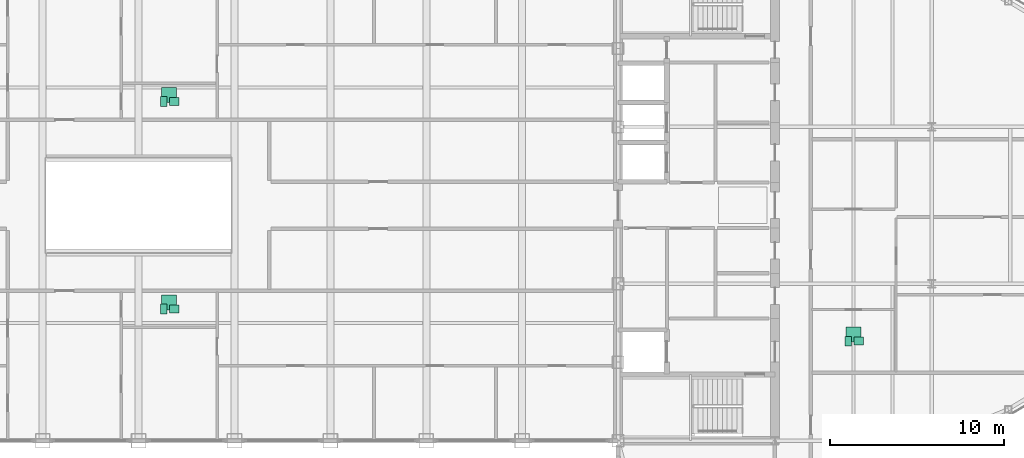
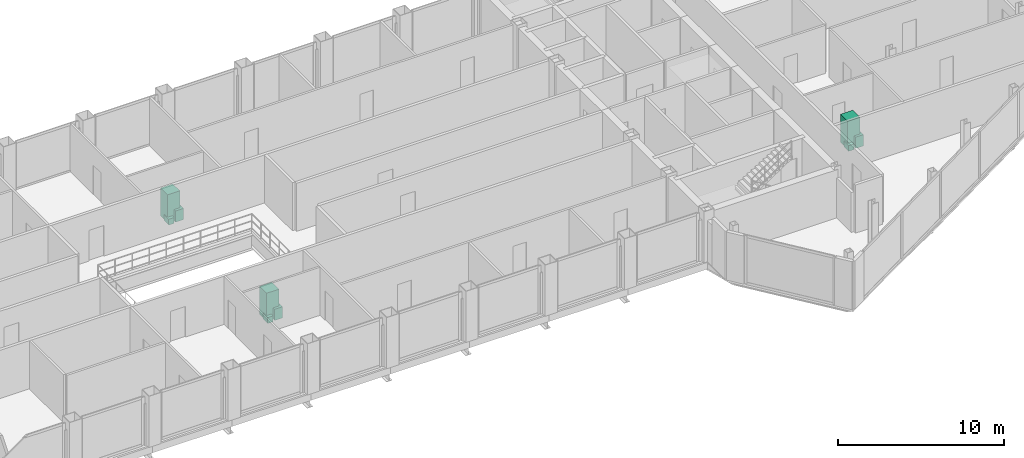
# One storey, part 29 of 29: 9 sanitary terminals.
"""IFC4 building model written with IfcOpenShell, lengths in metres."""

from ifc_helpers import new_model, si_unit, direction, frame, origin, origin_2d, place, context, subcontext, project, spatial, rectangle, extrude, source, transform, mapped, material, type_object, type_shapes, element, save


model = new_model("IFC4")

# Units and contexts
model_context = context("Model", 3, precision=1e-05, world=origin(), true_north=direction((0.0, 1.0)))
body_context = subcontext(model_context, "Body", "Model", "MODEL_VIEW")
ifc_project = project(units=[si_unit("LENGTHUNIT", "METRE"), si_unit("AREAUNIT", "SQUARE_METRE"), si_unit("VOLUMEUNIT", "CUBIC_METRE"), si_unit("PLANEANGLEUNIT", "RADIAN"), si_unit("MASSUNIT", "GRAM", prefix="KILO")], contexts=[model_context])

# Site, building, storey
site_placement = place(None, origin())
site = spatial("IfcSite", under=ifc_project, at=site_placement, CompositionType="ELEMENT")
building_placement = place(site_placement, origin())
building = spatial("IfcBuilding", under=site, at=building_placement, Name="Seokmaru Belvedere", CompositionType="ELEMENT")
storey_placement = place(building_placement, frame((0.0, 0.0, 258.14990234375)))
storey = spatial("IfcBuildingStorey", under=building, at=storey_placement, Name="L68", CompositionType="ELEMENT", Elevation=258.14990234375)

# Sanitary terminals
ifc_material_1 = material(Name="Vitreous China Sanitaryware")
sanitary_terminal_type_1 = type_object("IfcSanitaryTerminalType", Name="Wall-Hung Vitreous China WC Pan", PredefinedType="TOILETPAN", material=ifc_material_1)
shared_shape_1 = source(origin(), body_context, "Body", "SweptSolid", [
    extrude(rectangle(XDim=0.3798828125, YDim=0.56005859375, at=origin_2d()), origin(), (0.0, 0.0, 1.0), 0.419921875),
])
type_shapes(sanitary_terminal_type_1, [shared_shape_1])
for number, where, z_axis, x_axis, name in (
    (1, (40.699951171875, -7.7919921875, 0.000244140625), (0.0, 0.0, 1.0), (1.0, 0.0, 0.0), "L68 Vitreous China WC 0301"),
    (2, (1.449951171875, -5.949951171875, 0.000244140625), (0.0, 0.0, 1.0), (1.0, 0.0, 0.0), "L68 Vitreous China WC 0302"),
    (3, (1.449951171875, 5.949951171875, 0.000244140625), (0.0, 0.0, 1.0), (1.0, 0.0, 0.0), "L68 Vitreous China WC 0303"),
):
    element("IfcSanitaryTerminal", number, at=place(storey_placement, frame(where, z_axis=z_axis, x_axis=x_axis)), inside=storey, type_object=sanitary_terminal_type_1, Name=name, PredefinedType="TOILETPAN", context=body_context, shape_type="MappedRepresentation", body=[
        mapped(shared_shape_1, transform((0.0, 0.0, 0.0), scale=1.0)),
    ])
sanitary_terminal_type_2 = type_object("IfcSanitaryTerminalType", Name="Countertop Ceramic Washhand Basin", PredefinedType="WASHHANDBASIN", material=ifc_material_1)
shared_shape_2 = source(origin(), body_context, "Body", "SweptSolid", [
    extrude(rectangle(XDim=0.550048828125, YDim=0.449951171875, at=origin_2d()), origin(), (0.0, 0.0, 1.0), 0.820068359375),
])
type_shapes(sanitary_terminal_type_2, [shared_shape_2])
for number, where, z_axis, x_axis, name in (
    (4, (41.300048828125, -7.7919921875, 0.0), (0.0, 0.0, 1.0), (1.0, 0.0, 0.0), "L68 Ceramic Washhand Basin 0301"),
    (5, (2.050048828125, -5.949951171875, 0.0), (0.0, 0.0, 1.0), (1.0, 0.0, 0.0), "L68 Ceramic Washhand Basin 0302"),
    (6, (2.050048828125, 5.949951171875, 0.0), (0.0, 0.0, 1.0), (1.0, 0.0, 0.0), "L68 Ceramic Washhand Basin 0303"),
):
    element("IfcSanitaryTerminal", number, at=place(storey_placement, frame(where, z_axis=z_axis, x_axis=x_axis)), inside=storey, type_object=sanitary_terminal_type_2, Name=name, PredefinedType="WASHHANDBASIN", context=body_context, shape_type="MappedRepresentation", body=[
        mapped(shared_shape_2, transform((0.0, 0.0, 0.0), scale=1.0)),
    ])
ifc_material_2 = material(Name="Stainless Steel 316", Category="steel")
sanitary_terminal_type_3 = type_object("IfcSanitaryTerminalType", Name="Walk-In Thermostatic Rain Shower Enclosure", PredefinedType="SHOWER", material=ifc_material_2)
shared_shape_3 = source(origin(), body_context, "Body", "SweptSolid", [
    extrude(rectangle(XDim=0.85009765625, YDim=0.85009765625, at=origin_2d()), origin(), (0.0, 0.0, 1.0), 2.050048828125),
])
type_shapes(sanitary_terminal_type_3, [shared_shape_3])
for number, where, z_axis, x_axis, name in (
    (7, (41.0, -7.412109375, 0.0), (0.0, 0.0, 1.0), (1.0, 0.0, 0.0), "L68 Walk-In Shower 0301"),
    (8, (1.75, -5.570068359375, 0.0), (0.0, 0.0, 1.0), (1.0, 0.0, 0.0), "L68 Walk-In Shower 0302"),
    (9, (1.75, 6.330078125, 0.0), (0.0, 0.0, 1.0), (1.0, 0.0, 0.0), "L68 Walk-In Shower 0303"),
):
    element("IfcSanitaryTerminal", number, at=place(storey_placement, frame(where, z_axis=z_axis, x_axis=x_axis)), inside=storey, type_object=sanitary_terminal_type_3, Name=name, PredefinedType="SHOWER", context=body_context, shape_type="MappedRepresentation", body=[
        mapped(shared_shape_3, transform((0.0, 0.0, 0.0), scale=1.0)),
    ])

save(model, "model.ifc")
